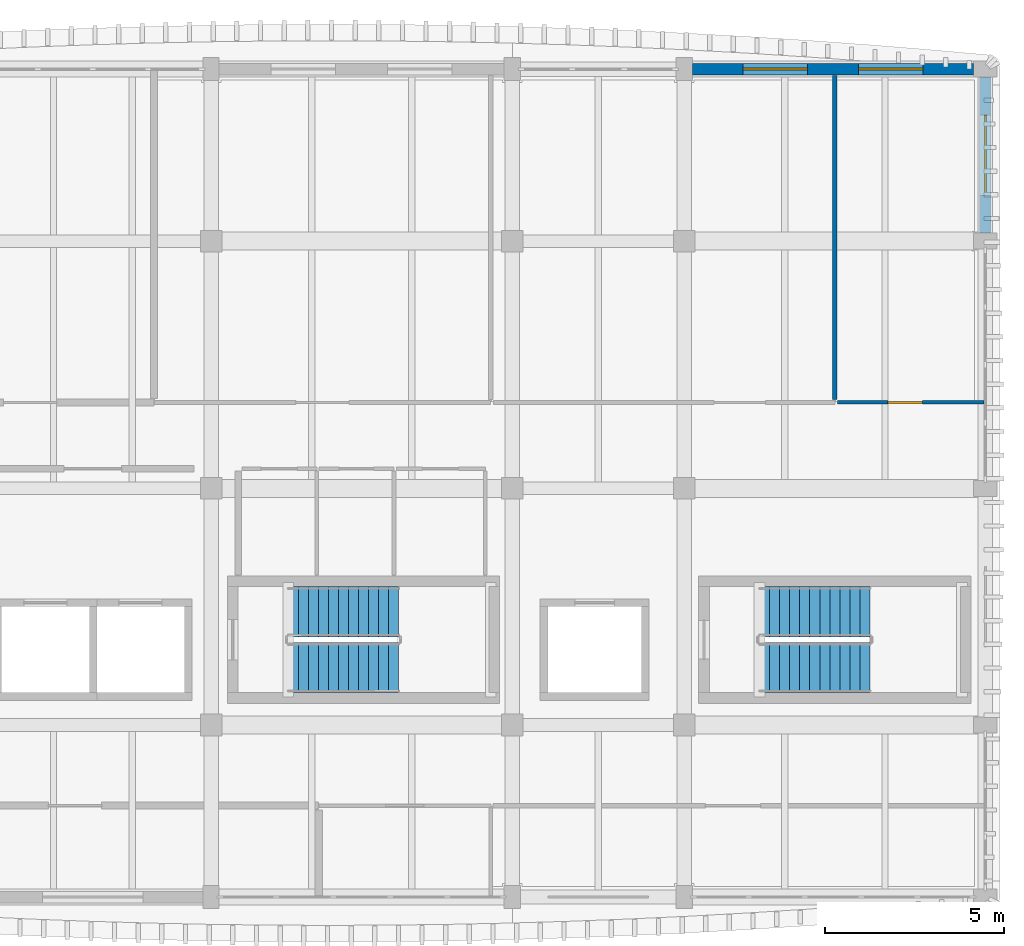
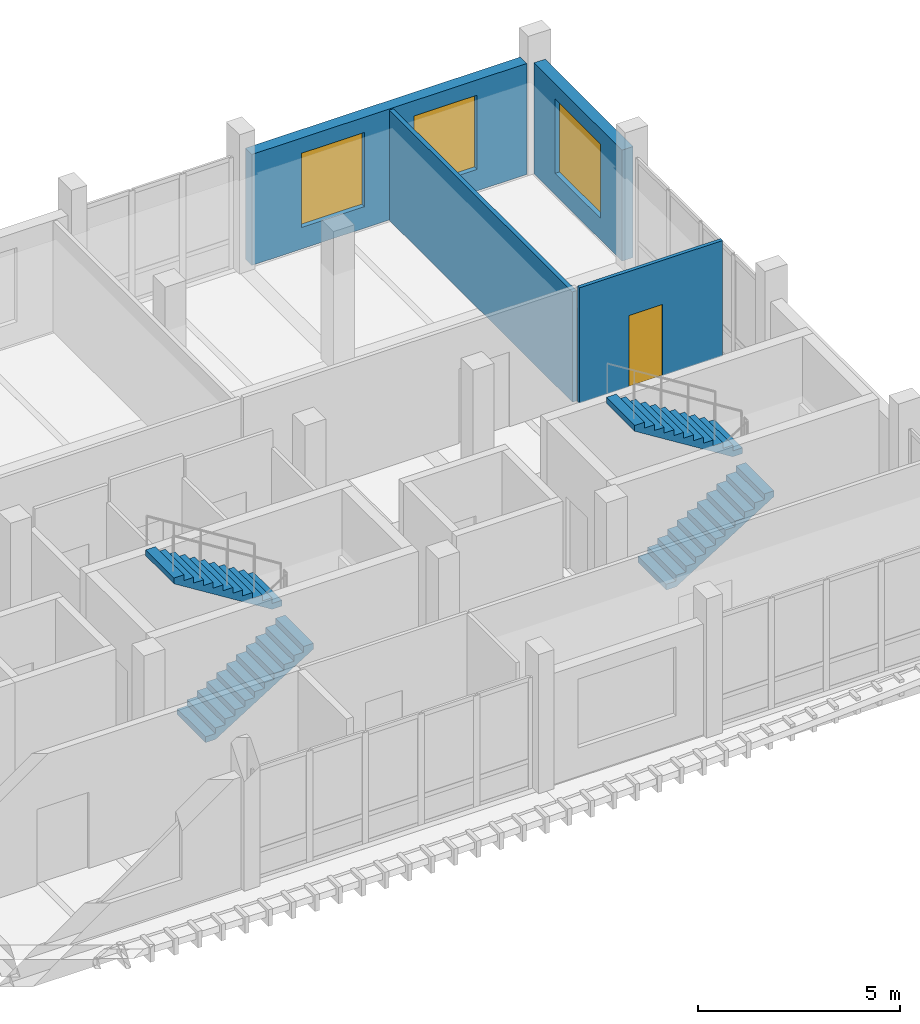
# One storey, part 9 of 16: 4 stair flights, 4 walls, 3 windows, 1 door, 4 openings, 2 elements without a shape of their own.
"""IFC4 building model written with IfcOpenShell, lengths in metres."""

from ifc_helpers import new_model, si_unit, direction, frame, frame_2d, origin, place, context, subcontext, project, spatial, polyline, rectangle, outline, extrude, material, layer, layer_set, type_object, element, fill, aggregate, save


model = new_model("IFC4")

# Units and contexts
model_context = context("Model", 3, precision=1e-05, world=origin(), true_north=direction((0.0, 1.0)))
body_context = subcontext(model_context, "Body", "Model", "MODEL_VIEW")
ifc_project = project(units=[si_unit("LENGTHUNIT", "METRE"), si_unit("AREAUNIT", "SQUARE_METRE"), si_unit("VOLUMEUNIT", "CUBIC_METRE"), si_unit("PLANEANGLEUNIT", "RADIAN"), si_unit("MASSUNIT", "GRAM", prefix="KILO")], contexts=[model_context])

# Site, building, storey
site_placement = place(None, origin())
site = spatial("IfcSite", under=ifc_project, at=site_placement, CompositionType="ELEMENT")
building_placement = place(site_placement, origin())
building = spatial("IfcBuilding", under=site, at=building_placement, Name="Dornvale Research Institute", CompositionType="ELEMENT")
storey_placement = place(building_placement, frame((0.0, 0.0, 42.60009765625)))
storey = spatial("IfcBuildingStorey", under=building, at=storey_placement, Name="L09", CompositionType="ELEMENT", Elevation=42.60009765625)

# Wall
ifc_material_1 = material(Name="Acoustic Insulated Double-Stud Laboratory Partition")
ifc_layer_1 = layer(ifc_material_1, 0.1201171875)
ifc_layer_set_1 = layer_set([ifc_layer_1], Name="Acoustic Insulated Double-Stud Laboratory Partition")
wall_type_1 = type_object("IfcWallType", Name="Partition_Dry_120", PredefinedType="PARTITIONING", material=ifc_layer_set_1)
wall_1_placement = place(storey_placement, frame((37.199951171875, 112.875, 0.0), z_axis=(0.0, 0.0, 1.0), x_axis=(0.0, 1.0, 0.0)))
element("IfcWall", 1, at=wall_1_placement, inside=storey, type_object=wall_type_1, Name="L09 V5 interior partition #597", PredefinedType="PARTITIONING", context=body_context, shape_type="SweptSolid", body=[
    extrude(rectangle(XDim=9.050048828125, YDim=0.1201171875, at=frame_2d((4.52490234375, 0.0))), origin(), (0.0, 0.0, 1.0), 3.329833984375),
])

# Wall, opening, door
ifc_material_2 = material(Name="Acoustic Insulated Double-Stud Laboratory Partition")
ifc_layer_2 = layer(ifc_material_2, 0.10009765625)
ifc_layer_set_2 = layer_set([ifc_layer_2], Name="Acoustic Insulated Double-Stud Laboratory Partition")
wall_type_2 = type_object("IfcWallType", Name="Partition_Office_100", PredefinedType="PARTITIONING", material=ifc_layer_set_2)
wall_2_placement = place(storey_placement, frame((37.27490234375, 112.800048828125, 0.0), z_axis=(0.0, 0.0, 1.0), x_axis=(1.0, 0.0, 0.0)))
wall_2 = element("IfcWall", 2, at=wall_2_placement, inside=storey, type_object=wall_type_2, Name="L09 V5 interior partition #598", PredefinedType="PARTITIONING", context=body_context, shape_type="SweptSolid", body=[
    extrude(rectangle(XDim=4.085205078125, YDim=0.10009765625, at=frame_2d((2.04248046875, 0.0))), origin(), (0.0, 0.0, 1.0), 3.47998046875),
])
opening_1_placement = place(wall_2_placement, frame((1.405029296875, 0.0, 0.0)))
opening_1 = element("IfcOpeningElement", 3, at=opening_1_placement, cuts=wall_2, Name="Opening ID-22", PredefinedType="OPENING", context=body_context, shape_type="SweptSolid", body=[
    extrude(rectangle(XDim=0.9599609375, YDim=2.14990234375, at=frame_2d((0.47998046875, 1.074951171875))), frame((0.0, 0.06494140625, 0.0), z_axis=(0.0, -1.0, 0.0), x_axis=(1.0, 0.0, 0.0)), (0.0, 0.0, 1.0), 0.130126953125),
])
ifc_material_3 = material(Name="Phenolic-Faced Solid-Core Laboratory Door Assembly")
door_type = type_object("IfcDoorType", Name="Door_Office_960x2150", OperationType="SINGLE_SWING_LEFT", PredefinedType="DOOR", material=ifc_material_3)
door_placement = place(opening_1_placement, origin())
door = element("IfcDoor", 4, at=door_placement, inside=storey, type_object=door_type, Name="L09 Chief Archivist Office L09 door #254", OperationType="SINGLE_SWING_LEFT", OverallHeight=2.14990234375, OverallWidth=0.9599609375, PredefinedType="DOOR", context=body_context, shape_type="SweptSolid", body=[
    extrude(rectangle(XDim=0.9599609375, YDim=2.14990234375, at=frame_2d((0.47998046875, 1.074951171875))), frame((0.0, 0.02490234375, 0.0), z_axis=(0.0, -1.0, 0.0), x_axis=(1.0, 0.0, 0.0)), (0.0, 0.0, 1.0), 0.050048828125),
])
fill(opening_1, door)

# Wall, openings, windows
ifc_material_4 = material(Name="Catalan Pressed Brick and Insulated Cavity Assembly", Category="masonry")
ifc_layer_3 = layer(ifc_material_4, 0.320068359375)
ifc_layer_set_3 = layer_set([ifc_layer_3], Name="Catalan Pressed Brick and Insulated Cavity Assembly")
wall_type_3 = type_object("IfcWallType", Name="StandardWall_BrickCavity_320", PredefinedType="STANDARD", material=ifc_layer_set_3)
wall_3_placement = place(storey_placement, frame((33.22509765625, 122.10009765625, 0.0), z_axis=(0.0, 0.0, 1.0), x_axis=(1.0, 0.0, 0.0)))
wall_3 = element("IfcWall", 5, at=wall_3_placement, inside=storey, type_object=wall_type_3, Name="L09 V5 north exterior wall #409", PredefinedType="STANDARD", context=body_context, shape_type="SweptSolid", body=[
    extrude(rectangle(XDim=7.849853515625, YDim=0.320068359375, at=frame_2d((3.9248046875, 0.0))), origin(), (0.0, 0.0, 1.0), 3.349853515625),
])
opening_2_placement = place(wall_3_placement, frame((1.416748046875, 0.0, 0.64990234375)))
opening_2 = element("IfcOpeningElement", 6, at=opening_2_placement, cuts=wall_3, Name="Opening W-41", PredefinedType="OPENING", context=body_context, shape_type="SweptSolid", body=[
    extrude(rectangle(XDim=1.800048828125, YDim=2.239990234375, at=frame_2d((0.89990234375, 1.1201171875))), frame((0.0, 0.175048828125, 0.0), z_axis=(0.0, -1.0, 0.0), x_axis=(1.0, 0.0, 0.0)), (0.0, 0.0, 1.0), 0.35009765625),
])
opening_3_placement = place(wall_3_placement, frame((4.63330078125, 0.0, 0.64990234375)))
opening_3 = element("IfcOpeningElement", 7, at=opening_3_placement, cuts=wall_3, Name="Opening W-41", PredefinedType="OPENING", context=body_context, shape_type="SweptSolid", body=[
    extrude(rectangle(XDim=1.800048828125, YDim=2.239990234375, at=frame_2d((0.89990234375, 1.1201171875))), frame((0.0, 0.175048828125, 0.0), z_axis=(0.0, -1.0, 0.0), x_axis=(1.0, 0.0, 0.0)), (0.0, 0.0, 1.0), 0.35009765625),
])
ifc_material_5 = material(Name="Low-E Argon Double Insulating Glazing Unit", Category="glass")
window_type_1 = type_object("IfcWindowType", Name="Window_Alu_1800x2240_41", PartitioningType="DOUBLE_PANEL_VERTICAL", PredefinedType="WINDOW", material=ifc_material_5)
window_1_placement = place(opening_2_placement, origin())
window_1 = element("IfcWindow", 8, at=window_1_placement, inside=storey, type_object=window_type_1, Name="L09 V5 facade window W-41 #546", OverallHeight=2.239990234375, OverallWidth=1.800048828125, PartitioningType="DOUBLE_PANEL_VERTICAL", PredefinedType="WINDOW", context=body_context, shape_type="SweptSolid", body=[
    extrude(rectangle(XDim=1.800048828125, YDim=2.239990234375, at=frame_2d((0.89990234375, 1.1201171875))), frame((0.0, 0.030029296875, 0.0), z_axis=(0.0, -1.0, 0.0), x_axis=(1.0, 0.0, 0.0)), (0.0, 0.0, 1.0), 0.06005859375),
])
fill(opening_2, window_1)
window_2_placement = place(opening_3_placement, origin())
window_2 = element("IfcWindow", 9, at=window_2_placement, inside=storey, type_object=window_type_1, Name="L09 V5 facade window W-41 #547", OverallHeight=2.239990234375, OverallWidth=1.800048828125, PartitioningType="DOUBLE_PANEL_VERTICAL", PredefinedType="WINDOW", context=body_context, shape_type="SweptSolid", body=[
    extrude(rectangle(XDim=1.800048828125, YDim=2.239990234375, at=frame_2d((0.89990234375, 1.1201171875))), frame((0.0, 0.030029296875, 0.0), z_axis=(0.0, -1.0, 0.0), x_axis=(1.0, 0.0, 0.0)), (0.0, 0.0, 1.0), 0.06005859375),
])
fill(opening_3, window_2)

# Wall, opening, window
wall_4_placement = place(storey_placement, frame((41.39990234375, 121.875, 0.0), z_axis=(0.0, 0.0, 1.0), x_axis=(0.0, -1.0, 0.0)))
wall_4 = element("IfcWall", 10, at=wall_4_placement, inside=storey, type_object=wall_type_3, Name="L09 V5 east exterior wall #410", PredefinedType="STANDARD", context=body_context, shape_type="SweptSolid", body=[
    extrude(rectangle(XDim=4.35009765625, YDim=0.320068359375, at=frame_2d((2.175048828125, 0.0))), origin(), (0.0, 0.0, 1.0), 3.349853515625),
])
opening_4_placement = place(wall_4_placement, frame((1.050048828125, 0.0, 0.64990234375)))
opening_4 = element("IfcOpeningElement", 11, at=opening_4_placement, cuts=wall_4, Name="Opening W-44", PredefinedType="OPENING", context=body_context, shape_type="SweptSolid", body=[
    extrude(rectangle(XDim=2.25, YDim=2.239990234375, at=frame_2d((1.125, 1.1201171875))), frame((0.0, 0.175048828125, 0.0), z_axis=(0.0, -1.0, 0.0), x_axis=(1.0, 0.0, 0.0)), (0.0, 0.0, 1.0), 0.35009765625),
])
ifc_material_6 = material(Name="Low-E Argon Double Insulating Glazing Unit", Category="glass")
window_type_2 = type_object("IfcWindowType", Name="Window_Alu_2250x2240_44", PartitioningType="DOUBLE_PANEL_VERTICAL", PredefinedType="WINDOW", material=ifc_material_6)
window_3_placement = place(opening_4_placement, origin())
window_3 = element("IfcWindow", 12, at=window_3_placement, inside=storey, type_object=window_type_2, Name="L09 V5 facade window W-44 #548", OverallHeight=2.239990234375, OverallWidth=2.25, PartitioningType="DOUBLE_PANEL_VERTICAL", PredefinedType="WINDOW", context=body_context, shape_type="SweptSolid", body=[
    extrude(rectangle(XDim=2.25, YDim=2.239990234375, at=frame_2d((1.125, 1.1201171875))), frame((0.0, 0.030029296875, 0.0), z_axis=(0.0, -1.0, 0.0), x_axis=(1.0, 0.0, 0.0)), (0.0, 0.0, 1.0), 0.06005859375),
])
fill(opening_4, window_3)

# Stair, stair flights
ifc_material_7 = material(Name="Concrete f'c 45 MPa (C35/45)", Category="concrete")
stair_type = type_object("IfcStairType", Name="HalfTurnStair_RC", PredefinedType="HALF_TURN_STAIR", material=ifc_material_7)
stair_1_placement = place(storey_placement, origin())
stair_1 = element("IfcStair", 13, at=stair_1_placement, inside=storey, type_object=stair_type, Name="L09 Exit stair ST-1", PredefinedType="HALF_TURN_STAIR")
ifc_material_8 = material(Name="Concrete f'c 45 MPa (C35/45)", Category="concrete")
stair_flight_type = type_object("IfcStairFlightType", Name="StraightFlight_RC150", PredefinedType="STRAIGHT", material=ifc_material_8)
stair_flight_1_placement = place(storey_placement, frame((21.949951171875, 105.39990234375, 0.0), z_axis=(0.0, 0.0, 1.0), x_axis=(1.0, 0.0, 0.0)))
stair_flight_1 = element("IfcStairFlight", 14, at=stair_flight_1_placement, type_object=stair_flight_type, Name="ST-1 flight 1", NumberOfRisers=12, NumberOfTreads=11, PredefinedType="STRAIGHT", RiserHeight=0.175, TreadLength=0.28, context=body_context, shape_type="SweptSolid", body=[
    extrude(outline(polyline([(0.0, 0.0), (0.0, 0.175048828125), (0.280029296875, 0.175048828125), (0.280029296875, 0.35009765625), (0.56005859375, 0.35009765625), (0.56005859375, 0.52490234375), (0.840087890625, 0.52490234375), (0.840087890625, 0.699951171875), (1.1201171875, 0.699951171875), (1.1201171875, 0.875), (1.39990234375, 0.875), (1.39990234375, 1.050048828125), (1.679931640625, 1.050048828125), (1.679931640625, 1.22509765625), (1.9599609375, 1.22509765625), (1.9599609375, 1.39990234375), (2.239990234375, 1.39990234375), (2.239990234375, 1.574951171875), (2.52001953125, 1.574951171875), (2.52001953125, 1.75), (2.800048828125, 1.75), (2.800048828125, 1.925048828125), (3.080078125, 1.925048828125), (3.080078125, 2.10009765625), (3.080078125, 1.748291015625), (0.28271484375, 0.0), (0.0, 0.0)])), frame((0.0, 0.699951171875, 0.0), z_axis=(0.0, -1.0, 0.0), x_axis=(1.0, 0.0, 0.0)), (0.0, 0.0, 1.0), 1.39990234375),
])
stair_flight_2_placement = place(storey_placement, frame((25.030029296875, 106.9599609375, 2.099853515625), z_axis=(0.0, 0.0, 1.0), x_axis=(-1.0, 0.0, 0.0)))
stair_flight_2 = element("IfcStairFlight", 15, at=stair_flight_2_placement, type_object=stair_flight_type, Name="ST-1 flight 2", NumberOfRisers=12, NumberOfTreads=11, PredefinedType="STRAIGHT", RiserHeight=0.175, TreadLength=0.28, context=body_context, shape_type="SweptSolid", body=[
    extrude(outline(polyline([(0.0, 0.0), (0.0, 0.175048828125), (0.280029296875, 0.175048828125), (0.280029296875, 0.35009765625), (0.56005859375, 0.35009765625), (0.56005859375, 0.52490234375), (0.840087890625, 0.52490234375), (0.840087890625, 0.699951171875), (1.1201171875, 0.699951171875), (1.1201171875, 0.875), (1.39990234375, 0.875), (1.39990234375, 1.050048828125), (1.679931640625, 1.050048828125), (1.679931640625, 1.22509765625), (1.9599609375, 1.22509765625), (1.9599609375, 1.39990234375), (2.239990234375, 1.39990234375), (2.239990234375, 1.574951171875), (2.52001953125, 1.574951171875), (2.52001953125, 1.75), (2.800048828125, 1.75), (2.800048828125, 1.925048828125), (3.080078125, 1.925048828125), (3.080078125, 2.10009765625), (3.080078125, 1.748291015625), (0.28271484375, 0.0), (0.0, 0.0)])), frame((0.0, 0.699951171875, 0.0), z_axis=(0.0, -1.0, 0.0), x_axis=(1.0, 0.0, 0.0)), (0.0, 0.0, 1.0), 1.39990234375),
])
aggregate(stair_1, [stair_flight_1, stair_flight_2])

stair_2_placement = place(storey_placement, origin())
stair_2 = element("IfcStair", 16, at=stair_2_placement, inside=storey, type_object=stair_type, Name="L09 Exit stair ST-2", PredefinedType="HALF_TURN_STAIR")
stair_flight_3_placement = place(storey_placement, frame((35.10009765625, 105.39990234375, 0.0), z_axis=(0.0, 0.0, 1.0), x_axis=(1.0, 0.0, 0.0)))
stair_flight_3 = element("IfcStairFlight", 17, at=stair_flight_3_placement, type_object=stair_flight_type, Name="ST-2 flight 1", NumberOfRisers=12, NumberOfTreads=11, PredefinedType="STRAIGHT", RiserHeight=0.175, TreadLength=0.28, context=body_context, shape_type="SweptSolid", body=[
    extrude(outline(polyline([(0.0, 0.0), (0.0, 0.175048828125), (0.280029296875, 0.175048828125), (0.280029296875, 0.35009765625), (0.56005859375, 0.35009765625), (0.56005859375, 0.52490234375), (0.840087890625, 0.52490234375), (0.840087890625, 0.699951171875), (1.1201171875, 0.699951171875), (1.1201171875, 0.875), (1.39990234375, 0.875), (1.39990234375, 1.050048828125), (1.679931640625, 1.050048828125), (1.679931640625, 1.22509765625), (1.9599609375, 1.22509765625), (1.9599609375, 1.39990234375), (2.239990234375, 1.39990234375), (2.239990234375, 1.574951171875), (2.52001953125, 1.574951171875), (2.52001953125, 1.75), (2.800048828125, 1.75), (2.800048828125, 1.925048828125), (3.080078125, 1.925048828125), (3.080078125, 2.10009765625), (3.080078125, 1.748291015625), (0.28271484375, 0.0), (0.0, 0.0)])), frame((0.0, 0.699951171875, 0.0), z_axis=(0.0, -1.0, 0.0), x_axis=(1.0, 0.0, 0.0)), (0.0, 0.0, 1.0), 1.39990234375),
])
stair_flight_4_placement = place(storey_placement, frame((38.179931640625, 106.9599609375, 2.099853515625), z_axis=(0.0, 0.0, 1.0), x_axis=(-1.0, 0.0, 0.0)))
stair_flight_4 = element("IfcStairFlight", 18, at=stair_flight_4_placement, type_object=stair_flight_type, Name="ST-2 flight 2", NumberOfRisers=12, NumberOfTreads=11, PredefinedType="STRAIGHT", RiserHeight=0.175, TreadLength=0.28, context=body_context, shape_type="SweptSolid", body=[
    extrude(outline(polyline([(0.0, 0.0), (0.0, 0.175048828125), (0.280029296875, 0.175048828125), (0.280029296875, 0.35009765625), (0.56005859375, 0.35009765625), (0.56005859375, 0.52490234375), (0.840087890625, 0.52490234375), (0.840087890625, 0.699951171875), (1.1201171875, 0.699951171875), (1.1201171875, 0.875), (1.39990234375, 0.875), (1.39990234375, 1.050048828125), (1.679931640625, 1.050048828125), (1.679931640625, 1.22509765625), (1.9599609375, 1.22509765625), (1.9599609375, 1.39990234375), (2.239990234375, 1.39990234375), (2.239990234375, 1.574951171875), (2.52001953125, 1.574951171875), (2.52001953125, 1.75), (2.800048828125, 1.75), (2.800048828125, 1.925048828125), (3.080078125, 1.925048828125), (3.080078125, 2.10009765625), (3.080078125, 1.748291015625), (0.28271484375, 0.0), (0.0, 0.0)])), frame((0.0, 0.699951171875, 0.0), z_axis=(0.0, -1.0, 0.0), x_axis=(1.0, 0.0, 0.0)), (0.0, 0.0, 1.0), 1.39990234375),
])
aggregate(stair_2, [stair_flight_3, stair_flight_4])

save(model, "model.ifc")
